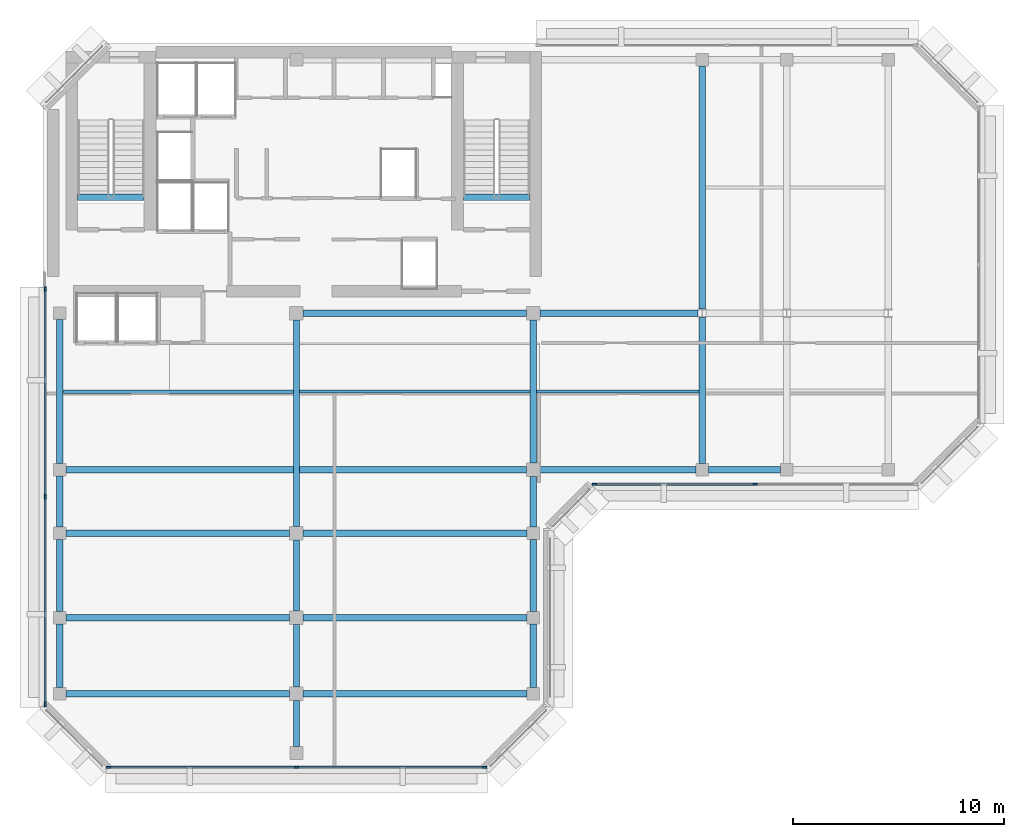
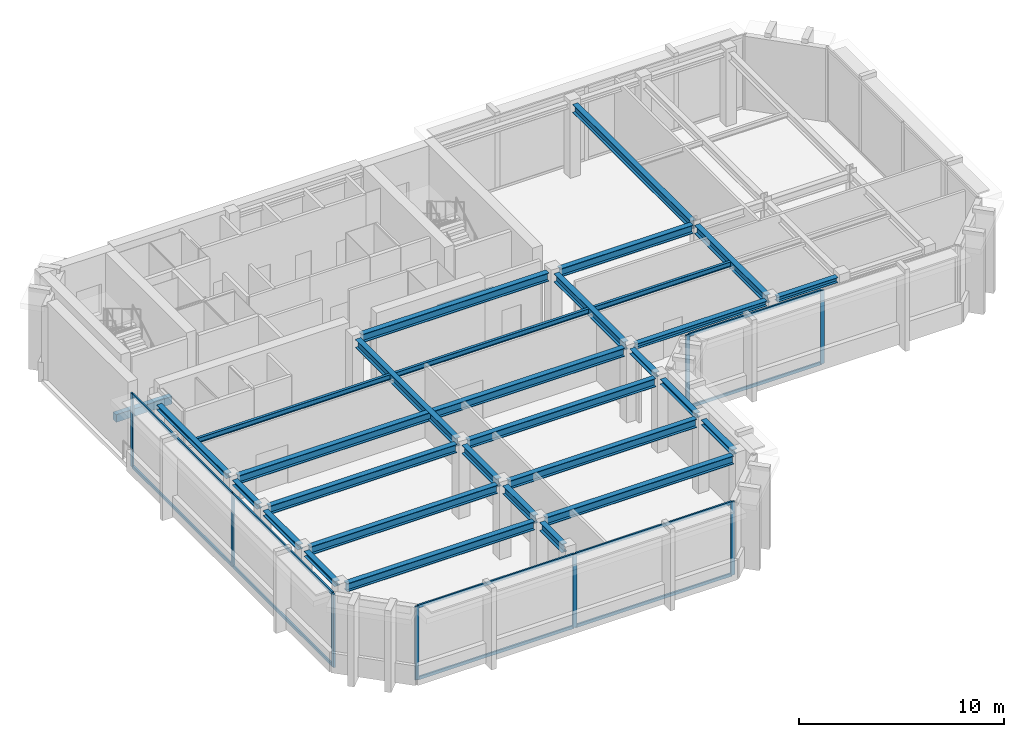
# One storey, part 2 of 9: 30 beams, 18 members, 3 elements without a shape of their own.
"""IFC4 building model written with IfcOpenShell, lengths in metres."""

from ifc_helpers import new_model, si_unit, direction, frame, origin, origin_2d, place, context, subcontext, project, spatial, rectangle, i_section, extrude, material, layer, layer_set, material_profile, profile_set, type_object, element, aggregate, save


model = new_model("IFC4")

# Units and contexts
model_context = context("Model", 3, precision=1e-05, world=origin(), true_north=direction((0.0, 1.0)))
body_context = subcontext(model_context, "Body", "Model", "MODEL_VIEW")
ifc_project = project(units=[si_unit("LENGTHUNIT", "METRE"), si_unit("AREAUNIT", "SQUARE_METRE"), si_unit("VOLUMEUNIT", "CUBIC_METRE"), si_unit("PLANEANGLEUNIT", "RADIAN"), si_unit("MASSUNIT", "GRAM", prefix="KILO")], contexts=[model_context])

# Site, building, storey
site_placement = place(None, origin())
site = spatial("IfcSite", under=ifc_project, at=site_placement, CompositionType="ELEMENT")
building_placement = place(site_placement, origin())
building = spatial("IfcBuilding", under=site, at=building_placement, Name="Kefirva Bronze Tower", CompositionType="ELEMENT")
storey_placement = place(building_placement, frame((0.0, 0.0, 352.110107421875)))
storey = spatial("IfcBuildingStorey", under=building, at=storey_placement, Name="L86", CompositionType="ELEMENT", Elevation=352.110107421875)

# Curtain wall, members
ifc_material_1 = material(Name="Bronze anodised aluminium", Category="aluminium")
ifc_layer = layer(ifc_material_1, 0.219970703125, Name="Bronze anodised aluminium")
ifc_layer_set = layer_set([ifc_layer], Name="Bronze anodised aluminium")
curtain_wall_type = type_object("IfcCurtainWallType", Name="Slanted Crown Faceted Bronze Curtain Wall", PredefinedType="USERDEFINED", material=ifc_layer_set)
curtain_wall_1_placement = place(storey_placement, origin())
curtain_wall_1 = element("IfcCurtainWall", 1, at=curtain_wall_1_placement, inside=storey, type_object=curtain_wall_type, Name="L86 Curtain Wall 1", ObjectType="UNITISED CURTAIN WALL", PredefinedType="USERDEFINED")
ifc_material_profile_1 = material_profile(ifc_material_1, rectangle(XDim=0.090087890625, YDim=0.219970703125, at=origin_2d()), Name="ALU 90x220")
ifc_profile_set_1 = profile_set([ifc_material_profile_1], Name="Bronze anodised aluminium")
member_type_1 = type_object("IfcMemberType", Name="Bronze Mullion 90x220", PredefinedType="MULLION", material=ifc_profile_set_1)
member_1_placement = place(storey_placement, frame((3.10009765625, 11.719970703125, 0.0), z_axis=(0.0, 0.0, 1.0), x_axis=(0.0, 1.0, 0.0)))
member_1 = element("IfcMember", 2, at=member_1_placement, type_object=member_type_1, Name="CW-07 mullion 1", PredefinedType="MULLION", context=body_context, shape_type="SweptSolid", body=[
    extrude(rectangle(XDim=0.090087890625, YDim=0.219970703125, at=origin_2d()), origin(), (0.0, 0.0, 1.0), 4.369873046875),
])
member_2_placement = place(storey_placement, frame((12.0, 11.719970703125, 0.0), z_axis=(0.0, 0.0, 1.0), x_axis=(0.0, 1.0, 0.0)))
member_2 = element("IfcMember", 3, at=member_2_placement, type_object=member_type_1, Name="CW-07 mullion 2", PredefinedType="MULLION", context=body_context, shape_type="SweptSolid", body=[
    extrude(rectangle(XDim=0.090087890625, YDim=0.219970703125, at=origin_2d()), origin(), (0.0, 0.0, 1.0), 4.369873046875),
])
member_3_placement = place(storey_placement, frame((20.89990234375, 11.719970703125, 0.0), z_axis=(0.0, 0.0, 1.0), x_axis=(0.0, 1.0, 0.0)))
member_3 = element("IfcMember", 4, at=member_3_placement, type_object=member_type_1, Name="CW-07 mullion 3", PredefinedType="MULLION", context=body_context, shape_type="SweptSolid", body=[
    extrude(rectangle(XDim=0.090087890625, YDim=0.219970703125, at=origin_2d()), origin(), (0.0, 0.0, 1.0), 4.369873046875),
])

curtain_wall_2_placement = place(storey_placement, origin())
curtain_wall_2 = element("IfcCurtainWall", 5, at=curtain_wall_2_placement, inside=storey, type_object=curtain_wall_type, Name="L86 Curtain Wall 2", ObjectType="UNITISED CURTAIN WALL", PredefinedType="USERDEFINED")
member_4_placement = place(storey_placement, frame((26.10009765625, 25.1201171875, 0.0), z_axis=(0.0, 0.0, 1.0), x_axis=(0.0, 1.0, 0.0)))
member_4 = element("IfcMember", 6, at=member_4_placement, type_object=member_type_1, Name="CW-07 mullion 1", PredefinedType="MULLION", context=body_context, shape_type="SweptSolid", body=[
    extrude(rectangle(XDim=0.090087890625, YDim=0.219970703125, at=origin_2d()), origin(), (0.0, 0.0, 1.0), 4.369873046875),
])
member_5_placement = place(storey_placement, frame((33.699951171875, 25.1201171875, 0.0), z_axis=(0.0, 0.0, 1.0), x_axis=(0.0, 1.0, 0.0)))
member_5 = element("IfcMember", 7, at=member_5_placement, type_object=member_type_1, Name="CW-07 mullion 2", PredefinedType="MULLION", context=body_context, shape_type="SweptSolid", body=[
    extrude(rectangle(XDim=0.090087890625, YDim=0.219970703125, at=origin_2d()), origin(), (0.0, 0.0, 1.0), 4.369873046875),
])

curtain_wall_3_placement = place(storey_placement, origin())
curtain_wall_3 = element("IfcCurtainWall", 8, at=curtain_wall_3_placement, inside=storey, type_object=curtain_wall_type, Name="L86 Curtain Wall 5", ObjectType="UNITISED CURTAIN WALL", PredefinedType="USERDEFINED")
member_6_placement = place(storey_placement, frame((0.1201171875, 34.35009765625, 0.0), z_axis=(0.0, 0.0, 1.0), x_axis=(1.0, 0.0, 0.0)))
member_6 = element("IfcMember", 9, at=member_6_placement, type_object=member_type_1, Name="CW-07 mullion 1", PredefinedType="MULLION", context=body_context, shape_type="SweptSolid", body=[
    extrude(rectangle(XDim=0.090087890625, YDim=0.219970703125, at=origin_2d()), origin(), (0.0, 0.0, 1.0), 4.369873046875),
])
member_7_placement = place(storey_placement, frame((0.1201171875, 24.52490234375, 0.0), z_axis=(0.0, 0.0, 1.0), x_axis=(1.0, 0.0, 0.0)))
member_7 = element("IfcMember", 10, at=member_7_placement, type_object=member_type_1, Name="CW-07 mullion 2", PredefinedType="MULLION", context=body_context, shape_type="SweptSolid", body=[
    extrude(rectangle(XDim=0.090087890625, YDim=0.219970703125, at=origin_2d()), origin(), (0.0, 0.0, 1.0), 4.369873046875),
])
member_8_placement = place(storey_placement, frame((0.1201171875, 14.699951171875, 0.0), z_axis=(0.0, 0.0, 1.0), x_axis=(1.0, 0.0, 0.0)))
member_8 = element("IfcMember", 11, at=member_8_placement, type_object=member_type_1, Name="CW-07 mullion 3", PredefinedType="MULLION", context=body_context, shape_type="SweptSolid", body=[
    extrude(rectangle(XDim=0.090087890625, YDim=0.219970703125, at=origin_2d()), origin(), (0.0, 0.0, 1.0), 4.369873046875),
])

# Member
ifc_material_profile_2 = material_profile(ifc_material_1, rectangle(XDim=0.090087890625, YDim=0.179931640625, at=origin_2d()), Name="ALU 90x180")
ifc_profile_set_2 = profile_set([ifc_material_profile_2], Name="Bronze anodised aluminium")
member_type_2 = type_object("IfcMemberType", Name="Bronze Transom 90x180", PredefinedType="USERDEFINED", material=ifc_profile_set_2)
member_9_placement = place(storey_placement, frame((3.14501953125, 11.719970703125, 0.044921875), z_axis=(1.0, 0.0, 0.0), x_axis=(0.0, 1.0, 0.0)))
member_9 = element("IfcMember", 12, at=member_9_placement, type_object=member_type_2, Name="CW-07 transom 1.1", ObjectType="TRANSOM", PredefinedType="USERDEFINED", context=body_context, shape_type="SweptSolid", body=[
    extrude(rectangle(XDim=0.090087890625, YDim=0.179931640625, at=origin_2d()), origin(), (0.0, 0.0, 1.0), 8.81005859375),
])

member_10_placement = place(storey_placement, frame((3.14501953125, 11.719970703125, 4.324951171875), z_axis=(1.0, 0.0, 0.0), x_axis=(0.0, 1.0, 0.0)))
member_10 = element("IfcMember", 13, at=member_10_placement, type_object=member_type_2, Name="CW-07 transom 1.2", ObjectType="TRANSOM", PredefinedType="USERDEFINED", context=body_context, shape_type="SweptSolid", body=[
    extrude(rectangle(XDim=0.090087890625, YDim=0.179931640625, at=origin_2d()), origin(), (0.0, 0.0, 1.0), 8.81005859375),
])

member_11_placement = place(storey_placement, frame((12.044921875, 11.719970703125, 0.044921875), z_axis=(1.0, 0.0, 0.0), x_axis=(0.0, 1.0, 0.0)))
member_11 = element("IfcMember", 14, at=member_11_placement, type_object=member_type_2, Name="CW-07 transom 2.1", ObjectType="TRANSOM", PredefinedType="USERDEFINED", context=body_context, shape_type="SweptSolid", body=[
    extrude(rectangle(XDim=0.090087890625, YDim=0.179931640625, at=origin_2d()), origin(), (0.0, 0.0, 1.0), 8.81005859375),
])

member_12_placement = place(storey_placement, frame((12.044921875, 11.719970703125, 4.324951171875), z_axis=(1.0, 0.0, 0.0), x_axis=(0.0, 1.0, 0.0)))
member_12 = element("IfcMember", 15, at=member_12_placement, type_object=member_type_2, Name="CW-07 transom 2.2", ObjectType="TRANSOM", PredefinedType="USERDEFINED", context=body_context, shape_type="SweptSolid", body=[
    extrude(rectangle(XDim=0.090087890625, YDim=0.179931640625, at=origin_2d()), origin(), (0.0, 0.0, 1.0), 8.81005859375),
])

aggregate(curtain_wall_1, [member_1, member_2, member_3, member_9, member_10, member_11, member_12])

member_13_placement = place(storey_placement, frame((26.14501953125, 25.1201171875, 0.044921875), z_axis=(1.0, 0.0, 0.0), x_axis=(0.0, 1.0, 0.0)))
member_13 = element("IfcMember", 16, at=member_13_placement, type_object=member_type_2, Name="CW-07 transom 1.1", ObjectType="TRANSOM", PredefinedType="USERDEFINED", context=body_context, shape_type="SweptSolid", body=[
    extrude(rectangle(XDim=0.090087890625, YDim=0.179931640625, at=origin_2d()), origin(), (0.0, 0.0, 1.0), 7.510009765625),
])

member_14_placement = place(storey_placement, frame((26.14501953125, 25.1201171875, 4.324951171875), z_axis=(1.0, 0.0, 0.0), x_axis=(0.0, 1.0, 0.0)))
member_14 = element("IfcMember", 17, at=member_14_placement, type_object=member_type_2, Name="CW-07 transom 1.2", ObjectType="TRANSOM", PredefinedType="USERDEFINED", context=body_context, shape_type="SweptSolid", body=[
    extrude(rectangle(XDim=0.090087890625, YDim=0.179931640625, at=origin_2d()), origin(), (0.0, 0.0, 1.0), 7.510009765625),
])

aggregate(curtain_wall_2, [member_4, member_5, member_13, member_14])

member_15_placement = place(storey_placement, frame((0.1201171875, 34.304931640625, 0.044921875), z_axis=(0.0, -1.0, 0.0), x_axis=(1.0, 0.0, 0.0)))
member_15 = element("IfcMember", 18, at=member_15_placement, type_object=member_type_2, Name="CW-07 transom 1.1", ObjectType="TRANSOM", PredefinedType="USERDEFINED", context=body_context, shape_type="SweptSolid", body=[
    extrude(rectangle(XDim=0.090087890625, YDim=0.179931640625, at=origin_2d()), origin(), (0.0, 0.0, 1.0), 9.73486328125),
])

member_16_placement = place(storey_placement, frame((0.1201171875, 34.304931640625, 4.324951171875), z_axis=(0.0, -1.0, 0.0), x_axis=(1.0, 0.0, 0.0)))
member_16 = element("IfcMember", 19, at=member_16_placement, type_object=member_type_2, Name="CW-07 transom 1.2", ObjectType="TRANSOM", PredefinedType="USERDEFINED", context=body_context, shape_type="SweptSolid", body=[
    extrude(rectangle(XDim=0.090087890625, YDim=0.179931640625, at=origin_2d()), origin(), (0.0, 0.0, 1.0), 9.73486328125),
])

member_17_placement = place(storey_placement, frame((0.1201171875, 24.47998046875, 0.044921875), z_axis=(0.0, -1.0, 0.0), x_axis=(1.0, 0.0, 0.0)))
member_17 = element("IfcMember", 20, at=member_17_placement, type_object=member_type_2, Name="CW-07 transom 2.1", ObjectType="TRANSOM", PredefinedType="USERDEFINED", context=body_context, shape_type="SweptSolid", body=[
    extrude(rectangle(XDim=0.090087890625, YDim=0.179931640625, at=origin_2d()), origin(), (0.0, 0.0, 1.0), 9.73486328125),
])

member_18_placement = place(storey_placement, frame((0.1201171875, 24.47998046875, 4.324951171875), z_axis=(0.0, -1.0, 0.0), x_axis=(1.0, 0.0, 0.0)))
member_18 = element("IfcMember", 21, at=member_18_placement, type_object=member_type_2, Name="CW-07 transom 2.2", ObjectType="TRANSOM", PredefinedType="USERDEFINED", context=body_context, shape_type="SweptSolid", body=[
    extrude(rectangle(XDim=0.090087890625, YDim=0.179931640625, at=origin_2d()), origin(), (0.0, 0.0, 1.0), 9.73486328125),
])

aggregate(curtain_wall_3, [member_6, member_7, member_8, member_15, member_16, member_17, member_18])

# Beams
ifc_material_2 = material(Name="Concrete C50/60", Category="concrete")
ifc_material_profile_3 = material_profile(ifc_material_2, rectangle(XDim=0.300048828125, YDim=0.449951171875, at=origin_2d()), Name="RC 300x450")
ifc_profile_set_3 = profile_set([ifc_material_profile_3], Name="Concrete C50/60")
beam_type_1 = type_object("IfcBeamType", Name="RC Stair Trimmer Beam 300x450", PredefinedType="BEAM", material=ifc_profile_set_3)
beam_1_placement = place(storey_placement, frame((1.64501953125, 38.699951171875, -0.22509765625), z_axis=(1.0, 0.0, 0.0), x_axis=(0.0, 1.0, 0.0)))
element("IfcBeam", 22, at=beam_1_placement, inside=storey, type_object=beam_type_1, Name="L86 Stair 1 Landing Trimmer Beam", PredefinedType="BEAM", context=body_context, shape_type="SweptSolid", body=[
    extrude(rectangle(XDim=0.300048828125, YDim=0.449951171875, at=origin_2d()), origin(), (0.0, 0.0, 1.0), 3.14990234375),
])
beam_2_placement = place(storey_placement, frame((19.89501953125, 38.699951171875, -0.22509765625), z_axis=(1.0, 0.0, 0.0), x_axis=(0.0, 1.0, 0.0)))
element("IfcBeam", 23, at=beam_2_placement, inside=storey, type_object=beam_type_1, Name="L86 Stair 2 Landing Trimmer Beam", PredefinedType="BEAM", context=body_context, shape_type="SweptSolid", body=[
    extrude(rectangle(XDim=0.300048828125, YDim=0.449951171875, at=origin_2d()), origin(), (0.0, 0.0, 1.0), 3.159912109375),
])
ifc_material_3 = material(Name="Steel S355", Category="steel")
ifc_material_profile_4 = material_profile(ifc_material_3, i_section(OverallWidth=0.14990234375, OverallDepth=0.300048828125, WebThickness=0.007080078125, FlangeThickness=0.0107421875, at=origin_2d()), Name="IPE 300")
ifc_profile_set_4 = profile_set([ifc_material_profile_4], Name="Steel S355")
beam_type_2 = type_object("IfcBeamType", Name="Steel Floor Joist IPE 300", PredefinedType="JOIST", material=ifc_profile_set_4)
for number, where, z_axis, x_axis, name in (
    (24, (0.949951171875, 29.489990234375, 4.219970703125), (1.0, 0.0, 0.0), (0.0, 1.0, 0.0), "L86 JST-L86-0-294"),
    (25, (12.14990234375, 29.5, 4.219970703125), (1.0, 0.0, 0.0), (0.0, 1.0, 0.0), "L86 JST-L86-12-295"),
):
    element("IfcBeam", number, at=place(storey_placement, frame(where, z_axis=z_axis, x_axis=x_axis)), inside=storey, type_object=beam_type_2, Name=name, PredefinedType="JOIST", context=body_context, shape_type="SweptSolid", body=[
        extrude(i_section(OverallWidth=0.14990234375, OverallDepth=0.300048828125, WebThickness=0.007080078125, FlangeThickness=0.0107421875, at=origin_2d()), origin(), (0.0, 0.0, 1.0), 10.900146484375),
    ])
beam_3_placement = place(storey_placement, frame((23.35009765625, 29.5, 4.219970703125), z_axis=(1.0, 0.0, 0.0), x_axis=(0.0, 1.0, 0.0)))
element("IfcBeam", 26, at=beam_3_placement, inside=storey, type_object=beam_type_2, Name="L86 JST-L86-23-295", PredefinedType="JOIST", context=body_context, shape_type="SweptSolid", body=[
    extrude(i_section(OverallWidth=0.14990234375, OverallDepth=0.300048828125, WebThickness=0.007080078125, FlangeThickness=0.0107421875, at=origin_2d()), origin(), (0.0, 0.0, 1.0), 7.699951171875),
])
ifc_material_profile_5 = material_profile(ifc_material_3, i_section(OverallWidth=0.300048828125, OverallDepth=0.5, WebThickness=0.014404296875, FlangeThickness=0.028076171875, at=origin_2d()), Name="HEB 500")
ifc_profile_set_5 = profile_set([ifc_material_profile_5], Name="Steel S355")
beam_type_3 = type_object("IfcBeamType", Name="Steel Girder HEB 500", PredefinedType="USERDEFINED", material=ifc_profile_set_5)
for number, where, z_axis, x_axis, name in (
    (27, (1.10009765625, 15.199951171875, 4.119873046875), (1.0, 0.0, 0.0), (0.0, 1.0, 0.0), "L86 BM-L86-EW-0-152"),
    (28, (12.320068359375, 15.199951171875, 4.119873046875), (1.0, 0.0, 0.0), (0.0, 1.0, 0.0), "L86 BM-L86-EW-12-152"),
    (29, (1.10009765625, 18.800048828125, 4.119873046875), (1.0, 0.0, 0.0), (0.0, 1.0, 0.0), "L86 BM-L86-EW-0-188"),
    (30, (12.320068359375, 18.800048828125, 4.119873046875), (1.0, 0.0, 0.0), (0.0, 1.0, 0.0), "L86 BM-L86-EW-12-188"),
    (31, (1.10009765625, 22.800048828125, 4.119873046875), (1.0, 0.0, 0.0), (0.0, 1.0, 0.0), "L86 BM-L86-EW-0-228"),
    (32, (12.320068359375, 22.800048828125, 4.119873046875), (1.0, 0.0, 0.0), (0.0, 1.0, 0.0), "L86 BM-L86-EW-12-228"),
):
    element("IfcBeam", number, at=place(storey_placement, frame(where, z_axis=z_axis, x_axis=x_axis)), inside=storey, type_object=beam_type_3, Name=name, ObjectType="GIRDER", PredefinedType="USERDEFINED", context=body_context, shape_type="SweptSolid", body=[
        extrude(i_section(OverallWidth=0.300048828125, OverallDepth=0.5, WebThickness=0.014404296875, FlangeThickness=0.028076171875, at=origin_2d()), origin(), (0.0, 0.0, 1.0), 10.579833984375),
    ])
beam_4_placement = place(storey_placement, frame((1.10009765625, 25.800048828125, 4.119873046875), z_axis=(1.0, 0.0, 0.0), x_axis=(0.0, 1.0, 0.0)))
element("IfcBeam", 33, at=beam_4_placement, inside=storey, type_object=beam_type_3, Name="L86 BM-L86-EW-0-258", ObjectType="GIRDER", PredefinedType="USERDEFINED", context=body_context, shape_type="SweptSolid", body=[
    extrude(i_section(OverallWidth=0.300048828125, OverallDepth=0.5, WebThickness=0.014404296875, FlangeThickness=0.028076171875, at=origin_2d()), origin(), (0.0, 0.0, 1.0), 21.77978515625),
])
beam_5_placement = place(storey_placement, frame((12.320068359375, 33.199951171875, 4.119873046875), z_axis=(1.0, 0.0, 0.0), x_axis=(0.0, 1.0, 0.0)))
element("IfcBeam", 34, at=beam_5_placement, inside=storey, type_object=beam_type_3, Name="L86 BM-L86-EW-12-332", ObjectType="GIRDER", PredefinedType="USERDEFINED", context=body_context, shape_type="SweptSolid", body=[
    extrude(i_section(OverallWidth=0.300048828125, OverallDepth=0.5, WebThickness=0.014404296875, FlangeThickness=0.028076171875, at=origin_2d()), origin(), (0.0, 0.0, 1.0), 10.559814453125),
])
beam_6_placement = place(storey_placement, frame((23.52001953125, 33.199951171875, 4.119873046875), z_axis=(1.0, 0.0, 0.0), x_axis=(0.0, 1.0, 0.0)))
element("IfcBeam", 35, at=beam_6_placement, inside=storey, type_object=beam_type_3, Name="L86 BM-L86-EW-23-332", ObjectType="GIRDER", PredefinedType="USERDEFINED", context=body_context, shape_type="SweptSolid", body=[
    extrude(i_section(OverallWidth=0.300048828125, OverallDepth=0.5, WebThickness=0.014404296875, FlangeThickness=0.028076171875, at=origin_2d()), origin(), (0.0, 0.0, 1.0), 7.491455078125),
])
beam_7_placement = place(storey_placement, frame((12.0, 12.699951171875, 4.119873046875), z_axis=(0.0, 1.0, 0.0), x_axis=(-1.0, 0.0, 0.0)))
element("IfcBeam", 36, at=beam_7_placement, inside=storey, type_object=beam_type_3, Name="L86 BM-L86-NS-120-12", ObjectType="GIRDER", PredefinedType="USERDEFINED", context=body_context, shape_type="SweptSolid", body=[
    extrude(i_section(OverallWidth=0.300048828125, OverallDepth=0.5, WebThickness=0.014404296875, FlangeThickness=0.028076171875, at=origin_2d()), origin(), (0.0, 0.0, 1.0), 2.179931640625),
])
beam_8_placement = place(storey_placement, frame((12.0, 15.52001953125, 4.119873046875), z_axis=(0.0, 1.0, 0.0), x_axis=(-1.0, 0.0, 0.0)))
element("IfcBeam", 37, at=beam_8_placement, inside=storey, type_object=beam_type_3, Name="L86 BM-L86-NS-120-15", ObjectType="GIRDER", PredefinedType="USERDEFINED", context=body_context, shape_type="SweptSolid", body=[
    extrude(i_section(OverallWidth=0.300048828125, OverallDepth=0.5, WebThickness=0.014404296875, FlangeThickness=0.028076171875, at=origin_2d()), origin(), (0.0, 0.0, 1.0), 2.9599609375),
])
beam_9_placement = place(storey_placement, frame((12.0, 19.1201171875, 4.119873046875), z_axis=(0.0, 1.0, 0.0), x_axis=(-1.0, 0.0, 0.0)))
element("IfcBeam", 38, at=beam_9_placement, inside=storey, type_object=beam_type_3, Name="L86 BM-L86-NS-120-18", ObjectType="GIRDER", PredefinedType="USERDEFINED", context=body_context, shape_type="SweptSolid", body=[
    extrude(i_section(OverallWidth=0.300048828125, OverallDepth=0.5, WebThickness=0.014404296875, FlangeThickness=0.028076171875, at=origin_2d()), origin(), (0.0, 0.0, 1.0), 3.35986328125),
])
beam_10_placement = place(storey_placement, frame((12.0, 23.1201171875, 4.119873046875), z_axis=(0.0, 1.0, 0.0), x_axis=(-1.0, 0.0, 0.0)))
element("IfcBeam", 39, at=beam_10_placement, inside=storey, type_object=beam_type_3, Name="L86 BM-L86-NS-120-22", ObjectType="GIRDER", PredefinedType="USERDEFINED", context=body_context, shape_type="SweptSolid", body=[
    extrude(i_section(OverallWidth=0.300048828125, OverallDepth=0.5, WebThickness=0.014404296875, FlangeThickness=0.028076171875, at=origin_2d()), origin(), (0.0, 0.0, 1.0), 9.759765625),
])
beam_11_placement = place(storey_placement, frame((23.199951171875, 26.1201171875, 4.119873046875), z_axis=(0.0, 1.0, 0.0), x_axis=(-1.0, 0.0, 0.0)))
element("IfcBeam", 40, at=beam_11_placement, inside=storey, type_object=beam_type_3, Name="L86 BM-L86-NS-232-25", ObjectType="GIRDER", PredefinedType="USERDEFINED", context=body_context, shape_type="SweptSolid", body=[
    extrude(i_section(OverallWidth=0.300048828125, OverallDepth=0.5, WebThickness=0.014404296875, FlangeThickness=0.028076171875, at=origin_2d()), origin(), (0.0, 0.0, 1.0), 6.759765625),
])
beam_12_placement = place(storey_placement, frame((31.199951171875, 26.10009765625, 4.119873046875), z_axis=(0.0, 1.0, 0.0), x_axis=(-1.0, 0.0, 0.0)))
element("IfcBeam", 41, at=beam_12_placement, inside=storey, type_object=beam_type_3, Name="L86 BM-L86-NS-312-25", ObjectType="GIRDER", PredefinedType="USERDEFINED", context=body_context, shape_type="SweptSolid", body=[
    extrude(i_section(OverallWidth=0.300048828125, OverallDepth=0.5, WebThickness=0.014404296875, FlangeThickness=0.028076171875, at=origin_2d()), origin(), (0.0, 0.0, 1.0), 6.906494140625),
])
beam_13_placement = place(storey_placement, frame((31.199951171875, 33.3935546875, 4.119873046875), z_axis=(0.0, 1.0, 0.0), x_axis=(-1.0, 0.0, 0.0)))
element("IfcBeam", 42, at=beam_13_placement, inside=storey, type_object=beam_type_3, Name="L86 BM-L86-NS-312-33", ObjectType="GIRDER", PredefinedType="USERDEFINED", context=body_context, shape_type="SweptSolid", body=[
    extrude(i_section(OverallWidth=0.300048828125, OverallDepth=0.5, WebThickness=0.014404296875, FlangeThickness=0.028076171875, at=origin_2d()), origin(), (0.0, 0.0, 1.0), 11.50634765625),
])
ifc_material_profile_6 = material_profile(ifc_material_3, i_section(OverallWidth=0.300048828125, OverallDepth=0.300048828125, WebThickness=0.010986328125, FlangeThickness=0.01904296875, at=origin_2d()), Name="HEB 300")
ifc_profile_set_6 = profile_set([ifc_material_profile_6], Name="Steel S355")
beam_type_4 = type_object("IfcBeamType", Name="Steel Spandrel HEB 300 Ext", PredefinedType="SPANDREL", material=ifc_profile_set_6)
beam_14_placement = place(storey_placement, frame((23.52001953125, 25.800048828125, 4.219970703125), z_axis=(1.0, 0.0, 0.0), x_axis=(0.0, 1.0, 0.0)))
element("IfcBeam", 43, at=beam_14_placement, inside=storey, type_object=beam_type_4, Name="L86 BM-L86-EW-23-258", PredefinedType="SPANDREL", context=body_context, shape_type="SweptSolid", body=[
    extrude(i_section(OverallWidth=0.300048828125, OverallDepth=0.300048828125, WebThickness=0.010986328125, FlangeThickness=0.01904296875, at=origin_2d()), origin(), (0.0, 0.0, 1.0), 7.3798828125),
])
beam_15_placement = place(storey_placement, frame((31.5, 25.800048828125, 4.219970703125), z_axis=(1.0, 0.0, 0.0), x_axis=(0.0, 1.0, 0.0)))
element("IfcBeam", 44, at=beam_15_placement, inside=storey, type_object=beam_type_4, Name="L86 BM-L86-EW-31-258", PredefinedType="SPANDREL", context=body_context, shape_type="SweptSolid", body=[
    extrude(i_section(OverallWidth=0.300048828125, OverallDepth=0.300048828125, WebThickness=0.010986328125, FlangeThickness=0.01904296875, at=origin_2d()), origin(), (0.0, 0.0, 1.0), 3.39990234375),
])
beam_16_placement = place(storey_placement, frame((0.800048828125, 15.5, 4.219970703125), z_axis=(0.0, 1.0, 0.0), x_axis=(-1.0, 0.0, 0.0)))
element("IfcBeam", 45, at=beam_16_placement, inside=storey, type_object=beam_type_4, Name="L86 BM-L86-NS-8-15", PredefinedType="SPANDREL", context=body_context, shape_type="SweptSolid", body=[
    extrude(i_section(OverallWidth=0.300048828125, OverallDepth=0.300048828125, WebThickness=0.010986328125, FlangeThickness=0.01904296875, at=origin_2d()), origin(), (0.0, 0.0, 1.0), 3.0),
])
beam_17_placement = place(storey_placement, frame((0.800048828125, 19.10009765625, 4.219970703125), z_axis=(0.0, 1.0, 0.0), x_axis=(-1.0, 0.0, 0.0)))
element("IfcBeam", 46, at=beam_17_placement, inside=storey, type_object=beam_type_4, Name="L86 BM-L86-NS-8-18", PredefinedType="SPANDREL", context=body_context, shape_type="SweptSolid", body=[
    extrude(i_section(OverallWidth=0.300048828125, OverallDepth=0.300048828125, WebThickness=0.010986328125, FlangeThickness=0.01904296875, at=origin_2d()), origin(), (0.0, 0.0, 1.0), 3.39990234375),
])
beam_18_placement = place(storey_placement, frame((0.800048828125, 23.10009765625, 4.219970703125), z_axis=(0.0, 1.0, 0.0), x_axis=(-1.0, 0.0, 0.0)))
element("IfcBeam", 47, at=beam_18_placement, inside=storey, type_object=beam_type_4, Name="L86 BM-L86-NS-8-22", PredefinedType="SPANDREL", context=body_context, shape_type="SweptSolid", body=[
    extrude(i_section(OverallWidth=0.300048828125, OverallDepth=0.300048828125, WebThickness=0.010986328125, FlangeThickness=0.01904296875, at=origin_2d()), origin(), (0.0, 0.0, 1.0), 2.39990234375),
])
beam_19_placement = place(storey_placement, frame((0.800048828125, 26.10009765625, 4.219970703125), z_axis=(0.0, 1.0, 0.0), x_axis=(-1.0, 0.0, 0.0)))
element("IfcBeam", 48, at=beam_19_placement, inside=storey, type_object=beam_type_4, Name="L86 BM-L86-NS-8-25", PredefinedType="SPANDREL", context=body_context, shape_type="SweptSolid", body=[
    extrude(i_section(OverallWidth=0.300048828125, OverallDepth=0.300048828125, WebThickness=0.010986328125, FlangeThickness=0.01904296875, at=origin_2d()), origin(), (0.0, 0.0, 1.0), 6.7998046875),
])
beam_20_placement = place(storey_placement, frame((23.199951171875, 15.5, 4.219970703125), z_axis=(0.0, 1.0, 0.0), x_axis=(-1.0, 0.0, 0.0)))
element("IfcBeam", 49, at=beam_20_placement, inside=storey, type_object=beam_type_4, Name="L86 BM-L86-NS-232-15", PredefinedType="SPANDREL", context=body_context, shape_type="SweptSolid", body=[
    extrude(i_section(OverallWidth=0.300048828125, OverallDepth=0.300048828125, WebThickness=0.010986328125, FlangeThickness=0.01904296875, at=origin_2d()), origin(), (0.0, 0.0, 1.0), 3.0),
])
beam_21_placement = place(storey_placement, frame((23.199951171875, 19.10009765625, 4.219970703125), z_axis=(0.0, 1.0, 0.0), x_axis=(-1.0, 0.0, 0.0)))
element("IfcBeam", 50, at=beam_21_placement, inside=storey, type_object=beam_type_4, Name="L86 BM-L86-NS-232-18", PredefinedType="SPANDREL", context=body_context, shape_type="SweptSolid", body=[
    extrude(i_section(OverallWidth=0.300048828125, OverallDepth=0.300048828125, WebThickness=0.010986328125, FlangeThickness=0.01904296875, at=origin_2d()), origin(), (0.0, 0.0, 1.0), 3.39990234375),
])
beam_22_placement = place(storey_placement, frame((23.199951171875, 23.10009765625, 4.219970703125), z_axis=(0.0, 1.0, 0.0), x_axis=(-1.0, 0.0, 0.0)))
element("IfcBeam", 51, at=beam_22_placement, inside=storey, type_object=beam_type_4, Name="L86 BM-L86-NS-232-22", PredefinedType="SPANDREL", context=body_context, shape_type="SweptSolid", body=[
    extrude(i_section(OverallWidth=0.300048828125, OverallDepth=0.300048828125, WebThickness=0.010986328125, FlangeThickness=0.01904296875, at=origin_2d()), origin(), (0.0, 0.0, 1.0), 2.3798828125),
])

save(model, "model.ifc")
